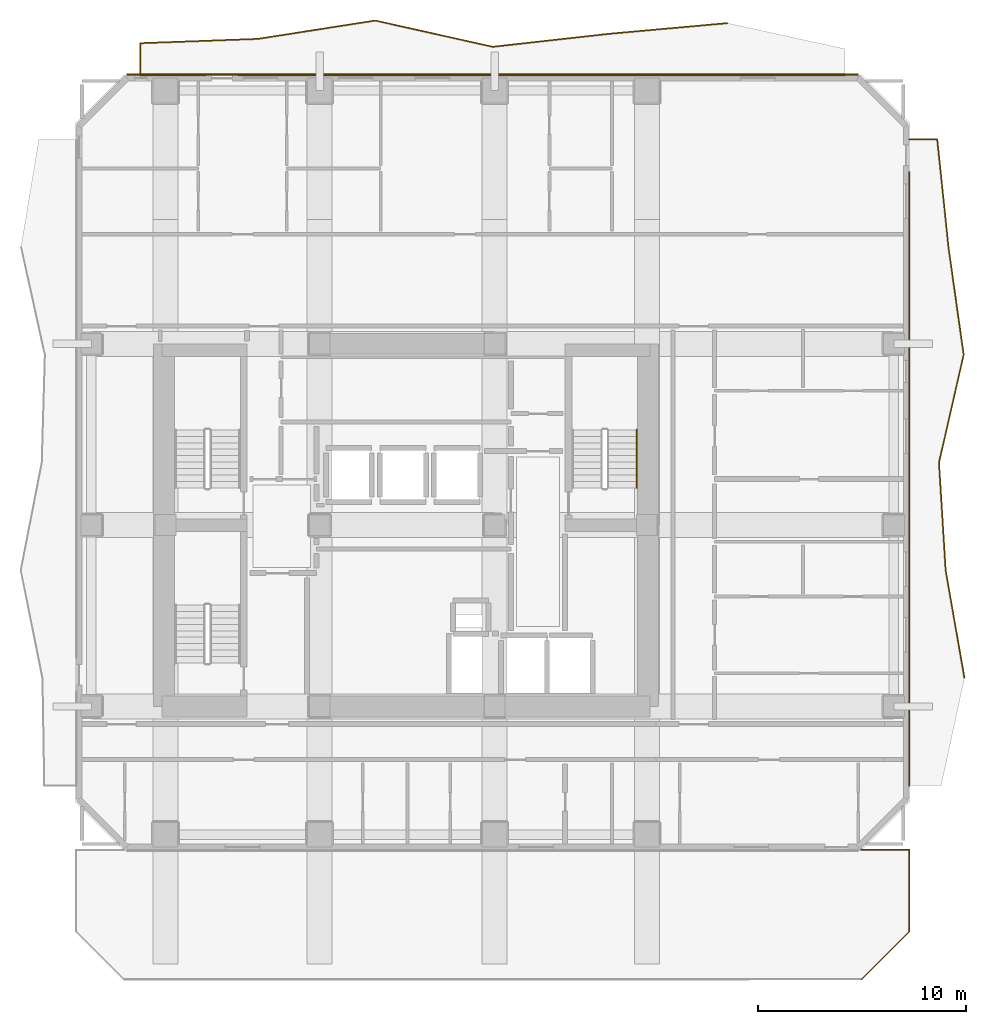
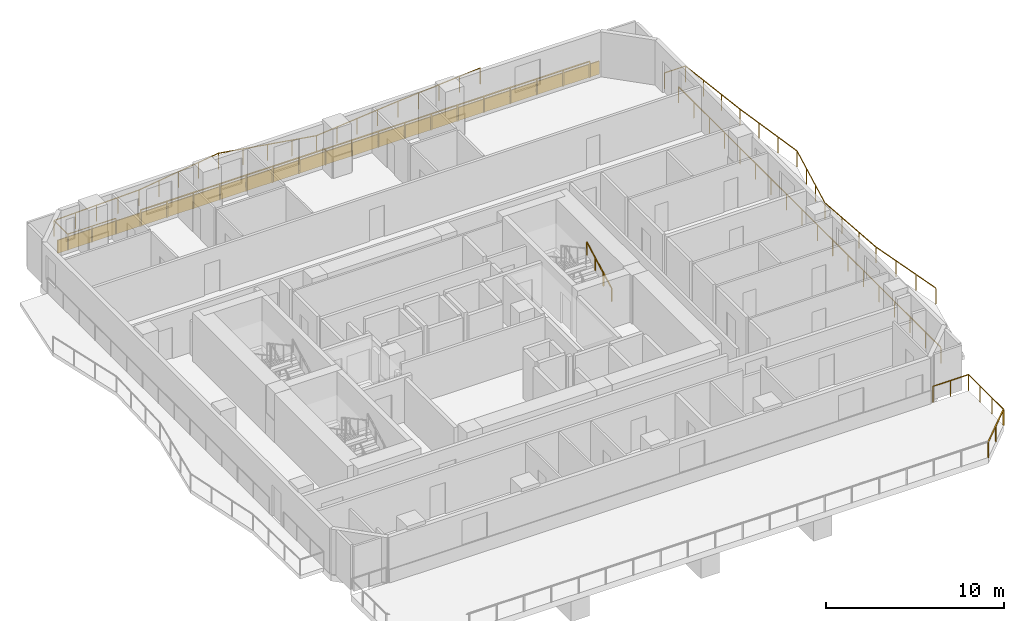
# One storey, part 9 of 9: 8 railings, 1 covering.
"""IFC4 building model written with IfcOpenShell, lengths in metres."""

from ifc_helpers import new_model, si_unit, direction, frame, frame_2d, origin, origin_2d, place, context, subcontext, project, spatial, rectangle, extrude, material, layer, layer_set, type_object, element, save


model = new_model("IFC4")

# Units and contexts
model_context = context("Model", 3, precision=1e-05, world=origin(), true_north=direction((0.0, 1.0)))
body_context = subcontext(model_context, "Body", "Model", "MODEL_VIEW")
ifc_project = project(units=[si_unit("LENGTHUNIT", "METRE"), si_unit("AREAUNIT", "SQUARE_METRE"), si_unit("VOLUMEUNIT", "CUBIC_METRE"), si_unit("PLANEANGLEUNIT", "RADIAN"), si_unit("MASSUNIT", "GRAM", prefix="KILO")], contexts=[model_context])

# Site, building, storey
site_placement = place(None, origin())
site = spatial("IfcSite", under=ifc_project, at=site_placement, CompositionType="ELEMENT")
building_placement = place(site_placement, origin())
building = spatial("IfcBuilding", under=site, at=building_placement, Name="Solanera Arch Residences", CompositionType="ELEMENT")
storey_placement = place(building_placement, frame((0.0, 0.0, 145.919921875)))
storey = spatial("IfcBuildingStorey", under=building, at=storey_placement, Name="L42", CompositionType="ELEMENT", Elevation=145.919921875)

# Railings
ifc_material_1 = material(Name="Steel S355 (ASTM A992 / A572 Grade 50)", Category="steel")
railing_type_1 = type_object("IfcRailingType", Name="Balustrade Railing BL-1100", PredefinedType="BALUSTRADE", material=ifc_material_1)
railing_1_placement = place(storey_placement, frame((40.366943359375, 54.785888671875, 0.0)))
element("IfcRailing", 1, at=railing_1_placement, inside=storey, type_object=railing_type_1, Name="L42 N Balcony Balustrade 1", PredefinedType="BALUSTRADE", context=body_context, shape_type="SweptSolid", body=[
    extrude(rectangle(XDim=0.048095703125, YDim=0.048095703125, at=origin_2d()), frame((0.0, 0.0, 1.09619140625), z_axis=(-0.995947152342, -0.089940367703, 0.0), x_axis=(0.089940367703, -0.995947152342, 0.0)), (0.0, 0.0, 1.0), 5.656982421875),
    extrude(rectangle(XDim=0.048095703125, YDim=0.048095703125, at=origin_2d()), frame((-5.634033203125, -0.5087890625, 1.09619140625), z_axis=(-0.993857966917, -0.110663189884, 0.0), x_axis=(0.110663189884, -0.993857966917, 0.0)), (0.0, 0.0, 1.0), 5.667724609375),
    extrude(rectangle(XDim=0.048095703125, YDim=0.048095703125, at=origin_2d()), frame((-11.266845703125, -1.135986328125, 1.09619140625), z_axis=(-0.975920602613, 0.218126058496, 0.0), x_axis=(-0.218126058496, -0.975920602613, 0.0)), (0.0, 0.0, 1.0), 5.77197265625),
    extrude(rectangle(XDim=0.048095703125, YDim=0.048095703125, at=origin_2d()), frame((-16.89990234375, 0.123046875, 1.09619140625), z_axis=(-0.988023663026, -0.154302434526, 0.0), x_axis=(0.154302434526, -0.988023663026, 0.0)), (0.0, 0.0, 1.0), 5.702392578125),
    extrude(rectangle(XDim=0.048095703125, YDim=0.048095703125, at=origin_2d()), frame((-22.533935546875, -0.7568359375, 1.09619140625), z_axis=(-0.999331638851, -0.036555103506, 0.0), x_axis=(0.036555103506, -0.999331638851, 0.0)), (0.0, 0.0, 1.0), 5.63671875),
    extrude(rectangle(XDim=0.048095703125, YDim=0.048095703125, at=origin_2d()), frame((-28.1669921875, -0.962890625, 1.09619140625), z_axis=(0.0, -1.0, 0.0), x_axis=(1.0, 0.0, 0.0)), (0.0, 0.0, 1.0), 1.54296875),
    extrude(rectangle(XDim=0.048095703125, YDim=0.048095703125, at=origin_2d()), frame((-28.1669921875, -2.505859375, 1.09619140625), z_axis=(1.0, 0.0, 0.0), x_axis=(0.0, 1.0, 0.0)), (0.0, 0.0, 1.0), 3.116943359375),
    extrude(rectangle(XDim=0.0419921875, YDim=0.0419921875, at=origin_2d()), origin(), (0.0, 0.0, 1.0), 1.072021484375),
    extrude(rectangle(XDim=0.0419921875, YDim=0.0419921875, at=origin_2d()), frame((-1.408447265625, -0.127197265625, 0.0)), (0.0, 0.0, 1.0), 1.072021484375),
    extrude(rectangle(XDim=0.0419921875, YDim=0.0419921875, at=origin_2d()), frame((-2.81689453125, -0.25439453125, 0.0)), (0.0, 0.0, 1.0), 1.072021484375),
    extrude(rectangle(XDim=0.0419921875, YDim=0.0419921875, at=origin_2d()), frame((-4.2255859375, -0.381591796875, 0.0)), (0.0, 0.0, 1.0), 1.072021484375),
    extrude(rectangle(XDim=0.0419921875, YDim=0.0419921875, at=origin_2d()), frame((-5.634033203125, -0.5087890625, 0.0)), (0.0, 0.0, 1.0), 1.072021484375),
    extrude(rectangle(XDim=0.0419921875, YDim=0.0419921875, at=origin_2d()), frame((-7.042236328125, -0.66552734375, 0.0)), (0.0, 0.0, 1.0), 1.072021484375),
    extrude(rectangle(XDim=0.0419921875, YDim=0.0419921875, at=origin_2d()), frame((-8.450439453125, -0.822265625, 0.0)), (0.0, 0.0, 1.0), 1.072021484375),
    extrude(rectangle(XDim=0.0419921875, YDim=0.0419921875, at=origin_2d()), frame((-9.858642578125, -0.979248046875, 0.0)), (0.0, 0.0, 1.0), 1.072021484375),
    extrude(rectangle(XDim=0.0419921875, YDim=0.0419921875, at=origin_2d()), frame((-11.266845703125, -1.135986328125, 0.0)), (0.0, 0.0, 1.0), 1.072021484375),
    extrude(rectangle(XDim=0.0419921875, YDim=0.0419921875, at=origin_2d()), frame((-12.675048828125, -0.8212890625, 0.0)), (0.0, 0.0, 1.0), 1.072021484375),
    extrude(rectangle(XDim=0.0419921875, YDim=0.0419921875, at=origin_2d()), frame((-14.08349609375, -0.50634765625, 0.0)), (0.0, 0.0, 1.0), 1.072021484375),
    extrude(rectangle(XDim=0.0419921875, YDim=0.0419921875, at=origin_2d()), frame((-15.49169921875, -0.191650390625, 0.0)), (0.0, 0.0, 1.0), 1.072021484375),
    extrude(rectangle(XDim=0.0419921875, YDim=0.0419921875, at=origin_2d()), frame((-16.89990234375, 0.123046875, 0.0)), (0.0, 0.0, 1.0), 1.072021484375),
    extrude(rectangle(XDim=0.0419921875, YDim=0.0419921875, at=origin_2d()), frame((-18.308349609375, -0.096923828125, 0.0)), (0.0, 0.0, 1.0), 1.072021484375),
    extrude(rectangle(XDim=0.0419921875, YDim=0.0419921875, at=origin_2d()), frame((-19.716796875, -0.31689453125, 0.0)), (0.0, 0.0, 1.0), 1.072021484375),
    extrude(rectangle(XDim=0.0419921875, YDim=0.0419921875, at=origin_2d()), frame((-21.12548828125, -0.536865234375, 0.0)), (0.0, 0.0, 1.0), 1.072021484375),
    extrude(rectangle(XDim=0.0419921875, YDim=0.0419921875, at=origin_2d()), frame((-22.533935546875, -0.7568359375, 0.0)), (0.0, 0.0, 1.0), 1.072021484375),
    extrude(rectangle(XDim=0.0419921875, YDim=0.0419921875, at=origin_2d()), frame((-23.942138671875, -0.808349609375, 0.0)), (0.0, 0.0, 1.0), 1.072021484375),
    extrude(rectangle(XDim=0.0419921875, YDim=0.0419921875, at=origin_2d()), frame((-25.3505859375, -0.85986328125, 0.0)), (0.0, 0.0, 1.0), 1.072021484375),
    extrude(rectangle(XDim=0.0419921875, YDim=0.0419921875, at=origin_2d()), frame((-26.7587890625, -0.911376953125, 0.0)), (0.0, 0.0, 1.0), 1.072021484375),
    extrude(rectangle(XDim=0.0419921875, YDim=0.0419921875, at=origin_2d()), frame((-28.1669921875, -0.962890625, 0.0)), (0.0, 0.0, 1.0), 1.072021484375),
    extrude(rectangle(XDim=0.0419921875, YDim=0.0419921875, at=origin_2d()), frame((-28.1669921875, -2.505859375, 0.0)), (0.0, 0.0, 1.0), 1.072021484375),
    extrude(rectangle(XDim=0.0419921875, YDim=0.0419921875, at=origin_2d()), frame((-26.6083984375, -2.505859375, 0.0)), (0.0, 0.0, 1.0), 1.072021484375),
    extrude(rectangle(XDim=0.0419921875, YDim=0.0419921875, at=origin_2d()), frame((-25.050048828125, -2.505859375, 0.0)), (0.0, 0.0, 1.0), 1.072021484375),
])
railing_2_placement = place(storey_placement, frame((16.9169921875, 52.280029296875, 0.0)))
element("IfcRailing", 2, at=railing_2_placement, inside=storey, type_object=railing_type_1, Name="L42 N Balcony Balustrade 2", PredefinedType="BALUSTRADE", context=body_context, shape_type="SweptSolid", body=[
    extrude(rectangle(XDim=0.048095703125, YDim=0.048095703125, at=origin_2d()), frame((0.0, 0.0, 1.09619140625), z_axis=(1.0, 0.0, 0.0), x_axis=(0.0, 1.0, 0.0)), (0.0, 0.0, 1.0), 29.0830078125),
    extrude(rectangle(XDim=0.0419921875, YDim=0.0419921875, at=origin_2d()), origin(), (0.0, 0.0, 1.0), 1.072021484375),
    extrude(rectangle(XDim=0.0419921875, YDim=0.0419921875, at=origin_2d()), frame((1.710693359375, 0.0, 0.0)), (0.0, 0.0, 1.0), 1.072021484375),
    extrude(rectangle(XDim=0.0419921875, YDim=0.0419921875, at=origin_2d()), frame((3.421630859375, 0.0, 0.0)), (0.0, 0.0, 1.0), 1.072021484375),
    extrude(rectangle(XDim=0.0419921875, YDim=0.0419921875, at=origin_2d()), frame((5.13232421875, 0.0, 0.0)), (0.0, 0.0, 1.0), 1.072021484375),
    extrude(rectangle(XDim=0.0419921875, YDim=0.0419921875, at=origin_2d()), frame((6.843017578125, 0.0, 0.0)), (0.0, 0.0, 1.0), 1.072021484375),
    extrude(rectangle(XDim=0.0419921875, YDim=0.0419921875, at=origin_2d()), frame((8.5537109375, 0.0, 0.0)), (0.0, 0.0, 1.0), 1.072021484375),
    extrude(rectangle(XDim=0.0419921875, YDim=0.0419921875, at=origin_2d()), frame((10.2646484375, 0.0, 0.0)), (0.0, 0.0, 1.0), 1.072021484375),
    extrude(rectangle(XDim=0.0419921875, YDim=0.0419921875, at=origin_2d()), frame((11.975341796875, 0.0, 0.0)), (0.0, 0.0, 1.0), 1.072021484375),
    extrude(rectangle(XDim=0.0419921875, YDim=0.0419921875, at=origin_2d()), frame((13.68603515625, 0.0, 0.0)), (0.0, 0.0, 1.0), 1.072021484375),
    extrude(rectangle(XDim=0.0419921875, YDim=0.0419921875, at=origin_2d()), frame((15.39697265625, 0.0, 0.0)), (0.0, 0.0, 1.0), 1.072021484375),
    extrude(rectangle(XDim=0.0419921875, YDim=0.0419921875, at=origin_2d()), frame((17.107666015625, 0.0, 0.0)), (0.0, 0.0, 1.0), 1.072021484375),
    extrude(rectangle(XDim=0.0419921875, YDim=0.0419921875, at=origin_2d()), frame((18.818359375, 0.0, 0.0)), (0.0, 0.0, 1.0), 1.072021484375),
    extrude(rectangle(XDim=0.0419921875, YDim=0.0419921875, at=origin_2d()), frame((20.529296875, 0.0, 0.0)), (0.0, 0.0, 1.0), 1.072021484375),
    extrude(rectangle(XDim=0.0419921875, YDim=0.0419921875, at=origin_2d()), frame((22.239990234375, 0.0, 0.0)), (0.0, 0.0, 1.0), 1.072021484375),
    extrude(rectangle(XDim=0.0419921875, YDim=0.0419921875, at=origin_2d()), frame((23.95068359375, 0.0, 0.0)), (0.0, 0.0, 1.0), 1.072021484375),
    extrude(rectangle(XDim=0.0419921875, YDim=0.0419921875, at=origin_2d()), frame((25.661376953125, 0.0, 0.0)), (0.0, 0.0, 1.0), 1.072021484375),
    extrude(rectangle(XDim=0.0419921875, YDim=0.0419921875, at=origin_2d()), frame((27.372314453125, 0.0, 0.0)), (0.0, 0.0, 1.0), 1.072021484375),
    extrude(rectangle(XDim=0.0419921875, YDim=0.0419921875, at=origin_2d()), frame((29.0830078125, 0.0, 0.0)), (0.0, 0.0, 1.0), 1.072021484375),
])
railing_3_placement = place(storey_placement, frame((51.739990234375, 23.366943359375, 0.0)))
element("IfcRailing", 3, at=railing_3_placement, inside=storey, type_object=railing_type_1, Name="L42 E Balcony Balustrade 1", PredefinedType="BALUSTRADE", context=body_context, shape_type="SweptSolid", body=[
    extrude(rectangle(XDim=0.048095703125, YDim=0.048095703125, at=origin_2d()), frame((0.0, 0.0, 1.09619140625), z_axis=(-0.172018950926, 0.985093640484, 0.0), x_axis=(-0.985093640484, -0.172018950926, 0.0)), (0.0, 0.0, 1.0), 5.244140625),
    extrude(rectangle(XDim=0.048095703125, YDim=0.048095703125, at=origin_2d()), frame((-0.902099609375, 5.166015625, 1.09619140625), z_axis=(-0.061591404745, 0.998101447179, 0.0), x_axis=(-0.998101447179, -0.061591404745, 0.0)), (0.0, 0.0, 1.0), 5.1767578125),
    extrude(rectangle(XDim=0.048095703125, YDim=0.048095703125, at=origin_2d()), frame((-1.220947265625, 10.3330078125, 1.09619140625), z_axis=(0.223328750941, 0.97474318105, 0.0), x_axis=(-0.97474318105, 0.223328750941, 0.0)), (0.0, 0.0, 1.0), 5.30078125),
    extrude(rectangle(XDim=0.048095703125, YDim=0.048095703125, at=origin_2d()), frame((-0.037109375, 15.5, 1.09619140625), z_axis=(-0.13950148257, 0.990221862191, 0.0), x_axis=(-0.990221862191, -0.13950148257, 0.0)), (0.0, 0.0, 1.0), 5.217041015625),
    extrude(rectangle(XDim=0.048095703125, YDim=0.048095703125, at=origin_2d()), frame((-0.764892578125, 20.666015625, 1.09619140625), z_axis=(-0.103950876066, 0.994582432665, 0.0), x_axis=(-0.994582432665, -0.103950876066, 0.0)), (0.0, 0.0, 1.0), 5.195068359375),
    extrude(rectangle(XDim=0.048095703125, YDim=0.048095703125, at=origin_2d()), frame((-1.304931640625, 25.8330078125, 1.09619140625), z_axis=(-1.0, 0.0, 0.0), x_axis=(0.0, -1.0, 0.0)), (0.0, 0.0, 1.0), 1.35498046875),
    extrude(rectangle(XDim=0.0419921875, YDim=0.0419921875, at=origin_2d()), origin(), (0.0, 0.0, 1.0), 1.072021484375),
    extrude(rectangle(XDim=0.0419921875, YDim=0.0419921875, at=origin_2d()), frame((-0.30078125, 1.721923828125, 0.0)), (0.0, 0.0, 1.0), 1.072021484375),
    extrude(rectangle(XDim=0.0419921875, YDim=0.0419921875, at=origin_2d()), frame((-0.601318359375, 3.444091796875, 0.0)), (0.0, 0.0, 1.0), 1.072021484375),
    extrude(rectangle(XDim=0.0419921875, YDim=0.0419921875, at=origin_2d()), frame((-0.902099609375, 5.166015625, 0.0)), (0.0, 0.0, 1.0), 1.072021484375),
    extrude(rectangle(XDim=0.0419921875, YDim=0.0419921875, at=origin_2d()), frame((-1.00830078125, 6.888427734375, 0.0)), (0.0, 0.0, 1.0), 1.072021484375),
    extrude(rectangle(XDim=0.0419921875, YDim=0.0419921875, at=origin_2d()), frame((-1.11474609375, 8.610595703125, 0.0)), (0.0, 0.0, 1.0), 1.072021484375),
    extrude(rectangle(XDim=0.0419921875, YDim=0.0419921875, at=origin_2d()), frame((-1.220947265625, 10.3330078125, 0.0)), (0.0, 0.0, 1.0), 1.072021484375),
    extrude(rectangle(XDim=0.0419921875, YDim=0.0419921875, at=origin_2d()), frame((-0.826416015625, 12.055419921875, 0.0)), (0.0, 0.0, 1.0), 1.072021484375),
    extrude(rectangle(XDim=0.0419921875, YDim=0.0419921875, at=origin_2d()), frame((-0.431640625, 13.777587890625, 0.0)), (0.0, 0.0, 1.0), 1.072021484375),
    extrude(rectangle(XDim=0.0419921875, YDim=0.0419921875, at=origin_2d()), frame((-0.037109375, 15.5, 0.0)), (0.0, 0.0, 1.0), 1.072021484375),
    extrude(rectangle(XDim=0.0419921875, YDim=0.0419921875, at=origin_2d()), frame((-0.27978515625, 17.221923828125, 0.0)), (0.0, 0.0, 1.0), 1.072021484375),
    extrude(rectangle(XDim=0.0419921875, YDim=0.0419921875, at=origin_2d()), frame((-0.522216796875, 18.944091796875, 0.0)), (0.0, 0.0, 1.0), 1.072021484375),
    extrude(rectangle(XDim=0.0419921875, YDim=0.0419921875, at=origin_2d()), frame((-0.764892578125, 20.666015625, 0.0)), (0.0, 0.0, 1.0), 1.072021484375),
    extrude(rectangle(XDim=0.0419921875, YDim=0.0419921875, at=origin_2d()), frame((-0.94482421875, 22.388427734375, 0.0)), (0.0, 0.0, 1.0), 1.072021484375),
    extrude(rectangle(XDim=0.0419921875, YDim=0.0419921875, at=origin_2d()), frame((-1.125, 24.110595703125, 0.0)), (0.0, 0.0, 1.0), 1.072021484375),
    extrude(rectangle(XDim=0.0419921875, YDim=0.0419921875, at=origin_2d()), frame((-1.304931640625, 25.8330078125, 0.0)), (0.0, 0.0, 1.0), 1.072021484375),
    extrude(rectangle(XDim=0.0419921875, YDim=0.0419921875, at=origin_2d()), frame((-2.659912109375, 25.8330078125, 0.0)), (0.0, 0.0, 1.0), 1.072021484375),
])
railing_4_placement = place(storey_placement, frame((49.080078125, 47.64111328125, 0.0)))
element("IfcRailing", 4, at=railing_4_placement, inside=storey, type_object=railing_type_1, Name="L42 E Balcony Balustrade 2", PredefinedType="BALUSTRADE", context=body_context, shape_type="SweptSolid", body=[
    extrude(rectangle(XDim=0.048095703125, YDim=0.048095703125, at=origin_2d()), frame((0.0, 0.0, 1.09619140625), z_axis=(0.0, -1.0, 0.0), x_axis=(1.0, 0.0, 0.0)), (0.0, 0.0, 1.0), 29.441162109375),
    extrude(rectangle(XDim=0.0419921875, YDim=0.0419921875, at=origin_2d()), origin(), (0.0, 0.0, 1.0), 1.072021484375),
    extrude(rectangle(XDim=0.0419921875, YDim=0.0419921875, at=origin_2d()), frame((0.0, -1.73193359375, 0.0)), (0.0, 0.0, 1.0), 1.072021484375),
    extrude(rectangle(XDim=0.0419921875, YDim=0.0419921875, at=origin_2d()), frame((0.0, -3.463623046875, 0.0)), (0.0, 0.0, 1.0), 1.072021484375),
    extrude(rectangle(XDim=0.0419921875, YDim=0.0419921875, at=origin_2d()), frame((0.0, -5.195556640625, 0.0)), (0.0, 0.0, 1.0), 1.072021484375),
    extrude(rectangle(XDim=0.0419921875, YDim=0.0419921875, at=origin_2d()), frame((0.0, -6.92724609375, 0.0)), (0.0, 0.0, 1.0), 1.072021484375),
    extrude(rectangle(XDim=0.0419921875, YDim=0.0419921875, at=origin_2d()), frame((0.0, -8.6591796875, 0.0)), (0.0, 0.0, 1.0), 1.072021484375),
    extrude(rectangle(XDim=0.0419921875, YDim=0.0419921875, at=origin_2d()), frame((0.0, -10.39111328125, 0.0)), (0.0, 0.0, 1.0), 1.072021484375),
    extrude(rectangle(XDim=0.0419921875, YDim=0.0419921875, at=origin_2d()), frame((0.0, -12.122802734375, 0.0)), (0.0, 0.0, 1.0), 1.072021484375),
    extrude(rectangle(XDim=0.0419921875, YDim=0.0419921875, at=origin_2d()), frame((0.0, -13.854736328125, 0.0)), (0.0, 0.0, 1.0), 1.072021484375),
    extrude(rectangle(XDim=0.0419921875, YDim=0.0419921875, at=origin_2d()), frame((0.0, -15.58642578125, 0.0)), (0.0, 0.0, 1.0), 1.072021484375),
    extrude(rectangle(XDim=0.0419921875, YDim=0.0419921875, at=origin_2d()), frame((0.0, -17.318359375, 0.0)), (0.0, 0.0, 1.0), 1.072021484375),
    extrude(rectangle(XDim=0.0419921875, YDim=0.0419921875, at=origin_2d()), frame((0.0, -19.050048828125, 0.0)), (0.0, 0.0, 1.0), 1.072021484375),
    extrude(rectangle(XDim=0.0419921875, YDim=0.0419921875, at=origin_2d()), frame((0.0, -20.781982421875, 0.0)), (0.0, 0.0, 1.0), 1.072021484375),
    extrude(rectangle(XDim=0.0419921875, YDim=0.0419921875, at=origin_2d()), frame((0.0, -22.513916015625, 0.0)), (0.0, 0.0, 1.0), 1.072021484375),
    extrude(rectangle(XDim=0.0419921875, YDim=0.0419921875, at=origin_2d()), frame((0.0, -24.24560546875, 0.0)), (0.0, 0.0, 1.0), 1.072021484375),
    extrude(rectangle(XDim=0.0419921875, YDim=0.0419921875, at=origin_2d()), frame((0.0, -25.9775390625, 0.0)), (0.0, 0.0, 1.0), 1.072021484375),
    extrude(rectangle(XDim=0.0419921875, YDim=0.0419921875, at=origin_2d()), frame((0.0, -27.709228515625, 0.0)), (0.0, 0.0, 1.0), 1.072021484375),
    extrude(rectangle(XDim=0.0419921875, YDim=0.0419921875, at=origin_2d()), frame((0.0, -29.441162109375, 0.0)), (0.0, 0.0, 1.0), 1.072021484375),
])
railing_5_placement = place(storey_placement, frame((49.10009765625, 15.1201171875, 0.0)))
element("IfcRailing", 5, at=railing_5_placement, inside=storey, type_object=railing_type_1, Name="L42 Sky Terrace Guardrail 1", PredefinedType="BALUSTRADE", context=body_context, shape_type="SweptSolid", body=[
    extrude(rectangle(XDim=0.048095703125, YDim=0.048095703125, at=origin_2d()), frame((0.0, 0.0, 1.09619140625), z_axis=(-1.0, 0.0, 0.0), x_axis=(0.0, -1.0, 0.0)), (0.0, 0.0, 1.0), 2.30810546875),
    extrude(rectangle(XDim=0.0419921875, YDim=0.0419921875, at=origin_2d()), origin(), (0.0, 0.0, 1.0), 1.072021484375),
    extrude(rectangle(XDim=0.0419921875, YDim=0.0419921875, at=origin_2d()), frame((-1.154052734375, 0.0, 0.0)), (0.0, 0.0, 1.0), 1.072021484375),
    extrude(rectangle(XDim=0.0419921875, YDim=0.0419921875, at=origin_2d()), frame((-2.30810546875, 0.0, 0.0)), (0.0, 0.0, 1.0), 1.072021484375),
])
railing_6_placement = place(storey_placement, frame((46.800048828125, 8.89990234375, 0.0)))
element("IfcRailing", 6, at=railing_6_placement, inside=storey, type_object=railing_type_1, Name="L42 Sky Terrace Guardrail 1", PredefinedType="BALUSTRADE", context=body_context, shape_type="SweptSolid", body=[
    extrude(rectangle(XDim=0.048095703125, YDim=0.048095703125, at=origin_2d()), frame((0.0, 0.0, 1.09619140625), z_axis=(0.707106781187, 0.707106781187, 0.0), x_axis=(-0.707106781187, 0.707106781187, 0.0)), (0.0, 0.0, 1.0), 3.252685546875),
    extrude(rectangle(XDim=0.0419921875, YDim=0.0419921875, at=origin_2d()), origin(), (0.0, 0.0, 1.0), 1.072021484375),
    extrude(rectangle(XDim=0.0419921875, YDim=0.0419921875, at=origin_2d()), frame((1.14990234375, 1.14990234375, 0.0)), (0.0, 0.0, 1.0), 1.072021484375),
    extrude(rectangle(XDim=0.0419921875, YDim=0.0419921875, at=origin_2d()), frame((2.300048828125, 2.300048828125, 0.0)), (0.0, 0.0, 1.0), 1.072021484375),
])
railing_7_placement = place(storey_placement, frame((49.10009765625, 11.199951171875, 0.0)))
element("IfcRailing", 7, at=railing_7_placement, inside=storey, type_object=railing_type_1, Name="L42 Sky Terrace Guardrail 1", PredefinedType="BALUSTRADE", context=body_context, shape_type="SweptSolid", body=[
    extrude(rectangle(XDim=0.048095703125, YDim=0.048095703125, at=origin_2d()), frame((0.0, 0.0, 1.09619140625), z_axis=(0.0, 1.0, 0.0), x_axis=(-1.0, 0.0, 0.0)), (0.0, 0.0, 1.0), 3.920166015625),
    extrude(rectangle(XDim=0.0419921875, YDim=0.0419921875, at=origin_2d()), origin(), (0.0, 0.0, 1.0), 1.072021484375),
    extrude(rectangle(XDim=0.0419921875, YDim=0.0419921875, at=origin_2d()), frame((0.0, 1.306640625, 0.0)), (0.0, 0.0, 1.0), 1.072021484375),
    extrude(rectangle(XDim=0.0419921875, YDim=0.0419921875, at=origin_2d()), frame((0.0, 2.613525390625, 0.0)), (0.0, 0.0, 1.0), 1.072021484375),
    extrude(rectangle(XDim=0.0419921875, YDim=0.0419921875, at=origin_2d()), frame((0.0, 3.920166015625, 0.0)), (0.0, 0.0, 1.0), 1.072021484375),
])

# Covering
ifc_material_2 = material(Name="Philippine Adobe Travertine Cladding", Category="masonry")
ifc_layer = layer(ifc_material_2, 0.06005859375)
ifc_layer_set = layer_set([ifc_layer], Name="Philippine Adobe Travertine Cladding")
covering_type = type_object("IfcCoveringType", Name="Precast Pier Stone Cladding CLD-60", PredefinedType="CLADDING", material=ifc_layer_set)
covering_placement = place(storey_placement, frame((11.554931640625, 52.31494140625, 0.0), z_axis=(0.0, 0.0, 1.0), x_axis=(1.0, 0.0, 0.0)))
element("IfcCovering", 8, at=covering_placement, inside=storey, type_object=covering_type, Name="L42 N Precast Spandrel Stone Band", PredefinedType="CLADDING", context=body_context, shape_type="SweptSolid", body=[
    extrude(rectangle(XDim=35.090087890625, YDim=0.06005859375, at=frame_2d((17.544921875, 0.0))), origin(), (0.0, 0.0, 1.0), 0.900146484375),
])

# Railing
ifc_material_3 = material(Name="Steel S355 (ASTM A992 / A572 Grade 50)", Category="steel")
railing_type_2 = type_object("IfcRailingType", Name="Stair Wall Handrail HR-920", PredefinedType="HANDRAIL", material=ifc_material_3)
railing_8_placement = place(storey_placement, frame((36.010009765625, 32.47998046875, 0.166015625)))
element("IfcRailing", 9, at=railing_8_placement, inside=storey, type_object=railing_type_2, Name="L42 ST-T2 stair handrail 1", PredefinedType="HANDRAIL", context=body_context, shape_type="SweptSolid", body=[
    extrude(rectangle(XDim=0.048095703125, YDim=0.048095703125, at=origin_2d()), frame((0.0, 0.0, 0.8759765625), z_axis=(0.0, 0.881548766853, 0.472092969298), x_axis=(-1.0, 0.0, 0.0)), (0.0, 0.0, 1.0), 3.1650390625),
    extrude(rectangle(XDim=0.0419921875, YDim=0.0419921875, at=origin_2d()), origin(), (0.0, 0.0, 1.0), 0.851806640625),
    extrude(rectangle(XDim=0.0419921875, YDim=0.0419921875, at=origin_2d()), frame((0.0, 0.929931640625, 0.498046875)), (0.0, 0.0, 1.0), 0.851806640625),
    extrude(rectangle(XDim=0.0419921875, YDim=0.0419921875, at=origin_2d()), frame((0.0, 1.860107421875, 0.99609375)), (0.0, 0.0, 1.0), 0.851806640625),
    extrude(rectangle(XDim=0.0419921875, YDim=0.0419921875, at=origin_2d()), frame((0.0, 2.7900390625, 1.494140625)), (0.0, 0.0, 1.0), 0.851806640625),
])

save(model, "model.ifc")
